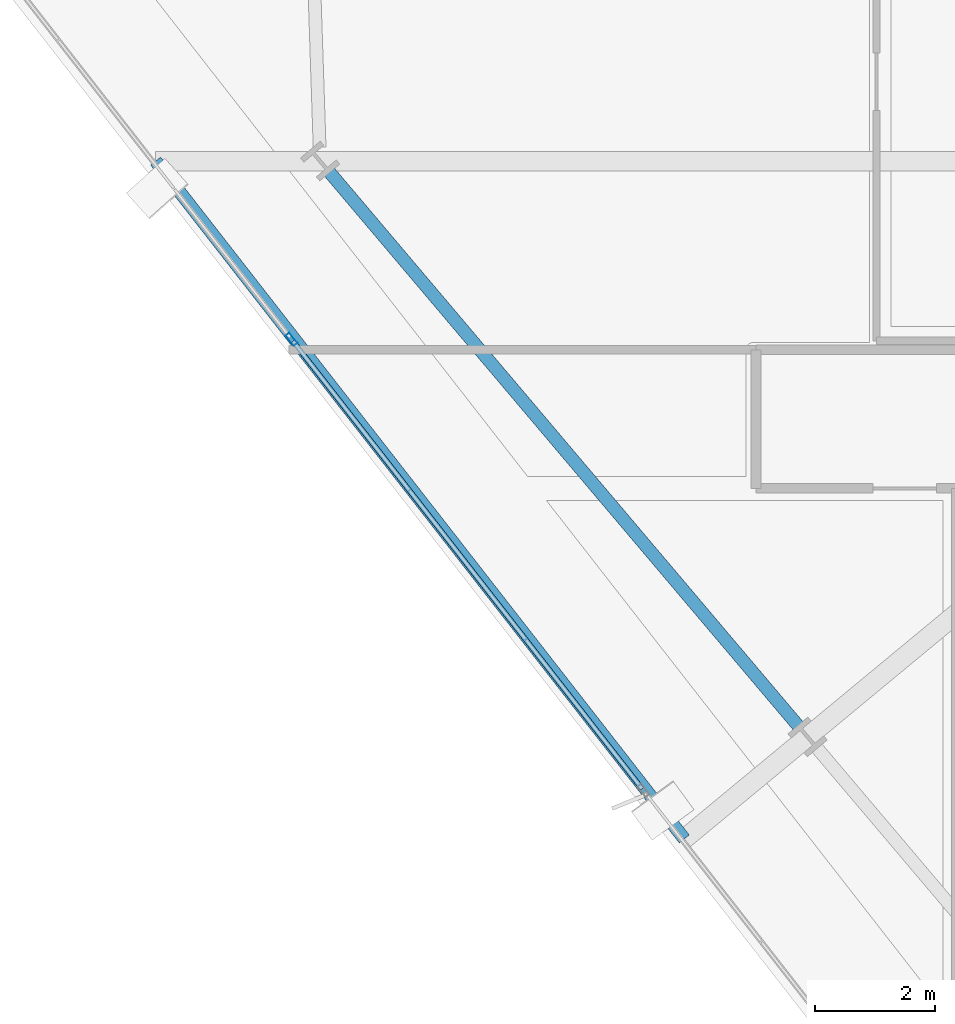
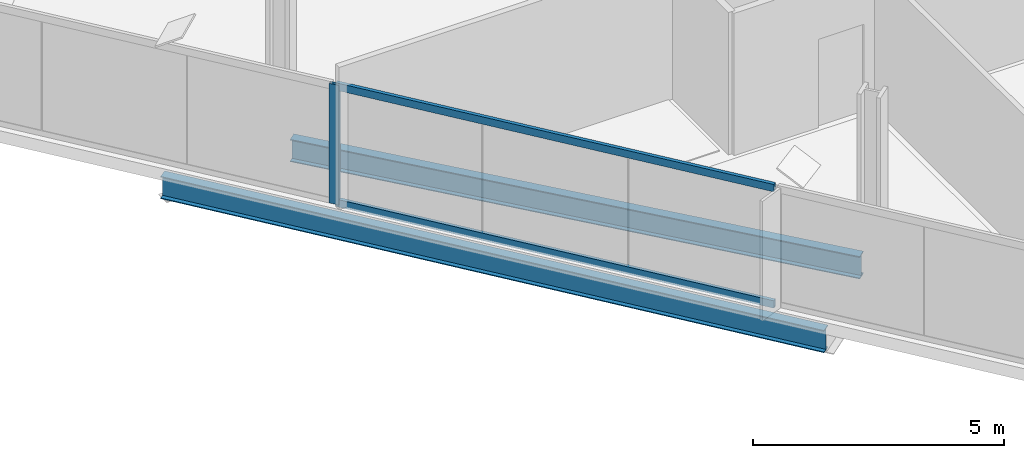
# One storey, part 4 of 32: 3 members, 2 beams, 1 element without a shape of its own.
"""IFC4 building model written with IfcOpenShell, lengths in metres."""

from ifc_helpers import new_model, si_unit, direction, frame, origin, origin_2d, place, context, subcontext, project, spatial, hollow_rectangle, i_section, extrude, material, material_profile, profile_set, type_object, element, aggregate, save


model = new_model("IFC4")

# Units and contexts
model_context = context("Model", 3, precision=1e-05, world=origin(), true_north=direction((0.0, 1.0)))
body_context = subcontext(model_context, "Body", "Model", "MODEL_VIEW")
ifc_project = project(units=[si_unit("LENGTHUNIT", "METRE"), si_unit("AREAUNIT", "SQUARE_METRE"), si_unit("VOLUMEUNIT", "CUBIC_METRE"), si_unit("PLANEANGLEUNIT", "RADIAN"), si_unit("MASSUNIT", "GRAM", prefix="KILO")], contexts=[model_context])

# Site, building, storey
site_placement = place(None, origin())
site = spatial("IfcSite", under=ifc_project, at=site_placement, CompositionType="ELEMENT")
building_placement = place(site_placement, origin())
building = spatial("IfcBuilding", under=site, at=building_placement, Name="Haldenkirk Collegiate Tower", CompositionType="ELEMENT")
storey_placement = place(building_placement, frame((0.0, 0.0, 155.699951171875)))
storey = spatial("IfcBuildingStorey", under=building, at=storey_placement, Name="L38", CompositionType="ELEMENT", Elevation=155.699951171875)

# Beams
ifc_material_1 = material(Name="Steel ASTM A992 Grade 50", Category="steel")
ifc_material_profile_1 = material_profile(ifc_material_1, i_section(OverallWidth=0.2119140625, OverallDepth=0.5439453125, WebThickness=0.01318359375, FlangeThickness=0.021240234375, at=origin_2d()), Name="W21X83")
ifc_profile_set_1 = profile_set([ifc_material_profile_1], Name="Steel ASTM A992 Grade 50")
beam_type = type_object("IfcBeamType", Name="BM-SPANDREL-W21X83", PredefinedType="SPANDREL", material=ifc_profile_set_1)
beam_1_placement = place(storey_placement, frame((11.111328125, 20.80859375, -0.56201171875), z_axis=(0.646126367676, -0.763230448157, 0.0), x_axis=(0.763230448157, 0.646126367676, 0.0)))
element("IfcBeam", 1, at=beam_1_placement, inside=storey, type_object=beam_type, Name="L38 perimeter spandrel beam 14", PredefinedType="SPANDREL", context=body_context, shape_type="SweptSolid", body=[
    extrude(i_section(OverallWidth=0.2119140625, OverallDepth=0.5439453125, WebThickness=0.01318359375, FlangeThickness=0.021240234375, at=origin_2d()), origin(), (0.0, 0.0, 1.0), 12.06494140625),
])
beam_2_placement = place(storey_placement, frame((8.23388671875, 20.9833984375, -0.56201171875), z_axis=(0.614973071986, -0.788548109333, 0.0), x_axis=(0.788548109333, 0.614973071986, 0.0)))
element("IfcBeam", 2, at=beam_2_placement, inside=storey, type_object=beam_type, Name="L38 outer facade edge beam 4", PredefinedType="SPANDREL", context=body_context, shape_type="SweptSolid", body=[
    extrude(i_section(OverallWidth=0.2119140625, OverallDepth=0.5439453125, WebThickness=0.01318359375, FlangeThickness=0.021240234375, at=origin_2d()), origin(), (0.0, 0.0, 1.0), 14.26806640625),
])

# Curtain wall, members
ifc_material_2 = material(Name="Anodised architectural bronze aluminium", Category="aluminium")
curtain_wall_type = type_object("IfcCurtainWallType", Name="CW-SYS1-CONVEX-LOW", PredefinedType="USERDEFINED", material=ifc_material_2)
curtain_wall_placement = place(storey_placement, origin())
curtain_wall = element("IfcCurtainWall", 3, at=curtain_wall_placement, inside=storey, type_object=curtain_wall_type, Name="L38 Lower tower convex bronze-framed unitised curtain wall", ObjectType="UNITISED CURTAIN WALL", PredefinedType="USERDEFINED")
ifc_material_profile_2 = material_profile(ifc_material_2, hollow_rectangle(XDim=0.080078125, YDim=0.219970703125, WallThickness=0.0048828125, at=origin_2d()), Name="CW-MUL-1A")
ifc_profile_set_2 = profile_set([ifc_material_profile_2], Name="Anodised architectural bronze aluminium")
member_type_1 = type_object("IfcMemberType", Name="CW-MUL-1A", PredefinedType="MULLION", material=ifc_profile_set_2)
member_1_placement = place(storey_placement, frame((10.48974609375, 18.025634765625, 0.0), z_axis=(0.0, 0.0, 1.0), x_axis=(-0.788547532235, -0.614973811968, 0.0)))
member_1 = element("IfcMember", 4, at=member_1_placement, type_object=member_type_1, Name="CW-1A mullion 4", PredefinedType="MULLION", context=body_context, shape_type="SweptSolid", body=[
    extrude(hollow_rectangle(XDim=0.080078125, YDim=0.219970703125, WallThickness=0.0048828125, at=origin_2d()), origin(), (0.0, 0.0, 1.0), 2.9111328125),
])
ifc_material_profile_3 = material_profile(ifc_material_2, hollow_rectangle(XDim=0.080078125, YDim=0.179931640625, WallThickness=0.0048828125, at=origin_2d()), Name="CW-TRN-1A")
ifc_profile_set_3 = profile_set([ifc_material_profile_3], Name="Anodised architectural bronze aluminium")
member_type_2 = type_object("IfcMemberType", Name="CW-TRN-1A", PredefinedType="USERDEFINED", material=ifc_profile_set_3)
member_2_placement = place(storey_placement, frame((16.307373046875, 10.566162109375, 0.0400390625), z_axis=(-0.614975398226, 0.788546295138, 0.0), x_axis=(-0.788546295138, -0.614975398226, 0.0)))
member_2 = element("IfcMember", 5, at=member_2_placement, type_object=member_type_2, Name="CW-1A transom 3.1", ObjectType="TRANSOM", PredefinedType="USERDEFINED", context=body_context, shape_type="SweptSolid", body=[
    extrude(hollow_rectangle(XDim=0.080078125, YDim=0.179931640625, WallThickness=0.0048828125, at=origin_2d()), origin(), (0.0, 0.0, 1.0), 9.419921875),
])
member_3_placement = place(storey_placement, frame((16.307373046875, 10.566162109375, 2.87109375), z_axis=(-0.614975398226, 0.788546295138, 0.0), x_axis=(-0.788546295138, -0.614975398226, 0.0)))
member_3 = element("IfcMember", 6, at=member_3_placement, type_object=member_type_2, Name="CW-1A transom 3.2", ObjectType="TRANSOM", PredefinedType="USERDEFINED", context=body_context, shape_type="SweptSolid", body=[
    extrude(hollow_rectangle(XDim=0.080078125, YDim=0.179931640625, WallThickness=0.0048828125, at=origin_2d()), origin(), (0.0, 0.0, 1.0), 9.419921875),
])
aggregate(curtain_wall, [member_1, member_2, member_3])

save(model, "model.ifc")
